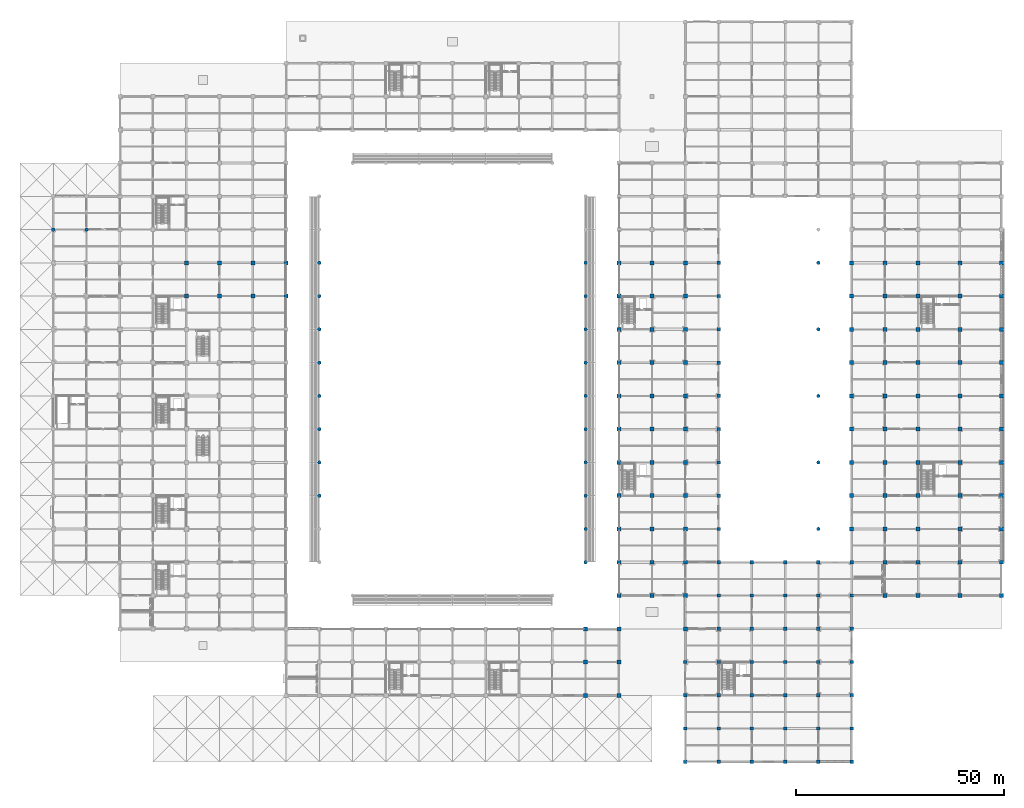
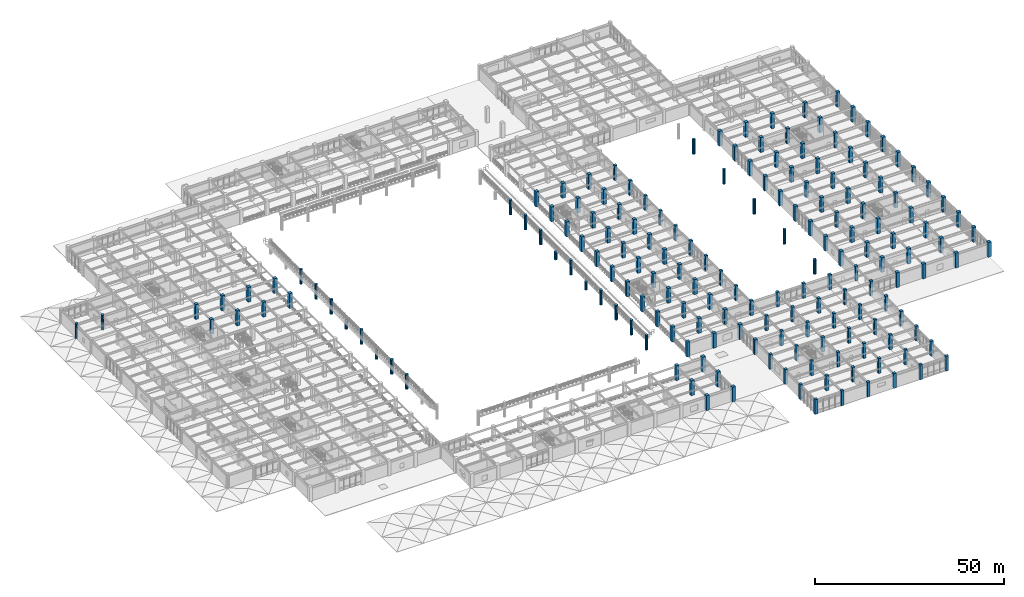
# One storey, part 5 of 109: 174 columns.
"""IFC4 building model written with IfcOpenShell, lengths in metres."""

from ifc_helpers import new_model, si_unit, direction, frame, origin, origin_2d, place, context, subcontext, project, spatial, rectangle, circle, extrude, material, material_profile, profile_set, type_object, element, save


model = new_model("IFC4")

# Units and contexts
model_context = context("Model", 3, precision=1e-05, world=origin(), true_north=direction((0.0, 1.0)))
body_context = subcontext(model_context, "Body", "Model", "MODEL_VIEW")
ifc_project = project(units=[si_unit("LENGTHUNIT", "METRE"), si_unit("AREAUNIT", "SQUARE_METRE"), si_unit("VOLUMEUNIT", "CUBIC_METRE"), si_unit("PLANEANGLEUNIT", "RADIAN"), si_unit("MASSUNIT", "GRAM", prefix="KILO")], contexts=[model_context])

# Site, building, storey
site_placement = place(None, origin())
site = spatial("IfcSite", under=ifc_project, at=site_placement, CompositionType="ELEMENT")
building_placement = place(site_placement, origin())
building = spatial("IfcBuilding", under=site, at=building_placement, Name="Haebicheon Civic Stadium", CompositionType="ELEMENT")
storey_placement = place(building_placement, frame((0.0, 0.0, 9.60009765625)))
storey = spatial("IfcBuildingStorey", under=building, at=storey_placement, Name="L03", CompositionType="ELEMENT", Elevation=9.60009765625)

# Columns
ifc_material_1 = material(Name="Concrete C40/50", Category="concrete")
ifc_material_profile_1 = material_profile(ifc_material_1, rectangle(XDim=0.800048828125, YDim=0.800048828125, at=origin_2d()), Name="RC-COL-800x800")
ifc_profile_set_1 = profile_set([ifc_material_profile_1], Name="Concrete C40/50")
column_type_1 = type_object("IfcColumnType", Name="COL-RC-800", PredefinedType="COLUMN", material=ifc_profile_set_1)
for number, where, z_axis, x_axis, name in (
    (1, (160.0, 0.0, 0.0), (0.0, 0.0, 1.0), (1.0, 0.0, 0.0), "L03 column 21/A"),
    (2, (160.0, 8.0, 0.0), (0.0, 0.0, 1.0), (1.0, 0.0, 0.0), "L03 column 21/B"),
    (3, (160.0, 16.0, 0.0), (0.0, 0.0, 1.0), (1.0, 0.0, 0.0), "L03 column 21/C"),
    (4, (160.0, 24.0, 0.0), (0.0, 0.0, 1.0), (1.0, 0.0, 0.0), "L03 column 21/D"),
    (5, (168.0, 0.0, 0.0), (0.0, 0.0, 1.0), (1.0, 0.0, 0.0), "L03 column 22/A"),
    (6, (168.0, 8.0, 0.0), (0.0, 0.0, 1.0), (1.0, 0.0, 0.0), "L03 column 22/B"),
    (7, (168.0, 16.0, 0.0), (0.0, 0.0, 1.0), (1.0, 0.0, 0.0), "L03 column 22/C"),
    (8, (168.0, 24.0, 0.0), (0.0, 0.0, 1.0), (1.0, 0.0, 0.0), "L03 column 22/D"),
    (9, (168.0, 32.0, 0.0), (0.0, 0.0, 1.0), (1.0, 0.0, 0.0), "L03 column 22/E"),
    (10, (168.0, 40.0, 0.0), (0.0, 0.0, 1.0), (1.0, 0.0, 0.0), "L03 column 22/F"),
    (11, (168.0, 48.0, 0.0), (0.0, 0.0, 1.0), (1.0, 0.0, 0.0), "L03 column 22/G"),
    (12, (168.0, 56.0, 0.0), (0.0, 0.0, 1.0), (1.0, 0.0, 0.0), "L03 column 22/H"),
    (13, (168.0, 64.0, 0.0), (0.0, 0.0, 1.0), (1.0, 0.0, 0.0), "L03 column 22/J"),
    (14, (168.0, 72.0, 0.0), (0.0, 0.0, 1.0), (1.0, 0.0, 0.0), "L03 column 22/K"),
    (15, (168.0, 80.0, 0.0), (0.0, 0.0, 1.0), (1.0, 0.0, 0.0), "L03 column 22/L"),
    (16, (168.0, 88.0, 0.0), (0.0, 0.0, 1.0), (1.0, 0.0, 0.0), "L03 column 22/M"),
    (17, (168.0, 96.0, 0.0), (0.0, 0.0, 1.0), (1.0, 0.0, 0.0), "L03 column 22/N"),
    (18, (168.0, 104.0, 0.0), (0.0, 0.0, 1.0), (1.0, 0.0, 0.0), "L03 column 22/P"),
    (19, (168.0, 112.0, 0.0), (0.0, 0.0, 1.0), (1.0, 0.0, 0.0), "L03 column 22/Q"),
    (20, (168.0, 120.0, 0.0), (0.0, 0.0, 1.0), (1.0, 0.0, 0.0), "L03 column 22/R"),
    (21, (176.0, 0.0, 0.0), (0.0, 0.0, 1.0), (1.0, 0.0, 0.0), "L03 column 23/A"),
    (22, (176.0, 8.0, 0.0), (0.0, 0.0, 1.0), (1.0, 0.0, 0.0), "L03 column 23/B"),
    (23, (176.0, 16.0, 0.0), (0.0, 0.0, 1.0), (1.0, 0.0, 0.0), "L03 column 23/C"),
    (24, (176.0, 24.0, 0.0), (0.0, 0.0, 1.0), (1.0, 0.0, 0.0), "L03 column 23/D"),
    (25, (176.0, 32.0, 0.0), (0.0, 0.0, 1.0), (1.0, 0.0, 0.0), "L03 column 23/E"),
    (26, (176.0, 40.0, 0.0), (0.0, 0.0, 1.0), (1.0, 0.0, 0.0), "L03 column 23/F"),
    (27, (176.0, 48.0, 0.0), (0.0, 0.0, 1.0), (1.0, 0.0, 0.0), "L03 column 23/G"),
    (28, (184.0, 0.0, 0.0), (0.0, 0.0, 1.0), (1.0, 0.0, 0.0), "L03 column 24/A"),
    (29, (184.0, 8.0, 0.0), (0.0, 0.0, 1.0), (1.0, 0.0, 0.0), "L03 column 24/B"),
    (30, (184.0, 16.0, 0.0), (0.0, 0.0, 1.0), (1.0, 0.0, 0.0), "L03 column 24/C"),
    (31, (184.0, 24.0, 0.0), (0.0, 0.0, 1.0), (1.0, 0.0, 0.0), "L03 column 24/D"),
    (32, (184.0, 32.0, 0.0), (0.0, 0.0, 1.0), (1.0, 0.0, 0.0), "L03 column 24/E"),
    (33, (184.0, 40.0, 0.0), (0.0, 0.0, 1.0), (1.0, 0.0, 0.0), "L03 column 24/F"),
    (34, (184.0, 48.0, 0.0), (0.0, 0.0, 1.0), (1.0, 0.0, 0.0), "L03 column 24/G"),
    (35, (192.0, 0.0, 0.0), (0.0, 0.0, 1.0), (1.0, 0.0, 0.0), "L03 column 25/A"),
    (36, (192.0, 8.0, 0.0), (0.0, 0.0, 1.0), (1.0, 0.0, 0.0), "L03 column 25/B"),
    (37, (192.0, 16.0, 0.0), (0.0, 0.0, 1.0), (1.0, 0.0, 0.0), "L03 column 25/C"),
    (38, (192.0, 24.0, 0.0), (0.0, 0.0, 1.0), (1.0, 0.0, 0.0), "L03 column 25/D"),
    (39, (192.0, 32.0, 0.0), (0.0, 0.0, 1.0), (1.0, 0.0, 0.0), "L03 column 25/E"),
    (40, (192.0, 40.0, 0.0), (0.0, 0.0, 1.0), (1.0, 0.0, 0.0), "L03 column 25/F"),
    (41, (192.0, 48.0, 0.0), (0.0, 0.0, 1.0), (1.0, 0.0, 0.0), "L03 column 25/G"),
    (42, (200.0, 0.0, 0.0), (0.0, 0.0, 1.0), (1.0, 0.0, 0.0), "L03 column 26/A"),
    (43, (200.0, 8.0, 0.0), (0.0, 0.0, 1.0), (1.0, 0.0, 0.0), "L03 column 26/B"),
    (44, (200.0, 16.0, 0.0), (0.0, 0.0, 1.0), (1.0, 0.0, 0.0), "L03 column 26/C"),
    (45, (200.0, 24.0, 0.0), (0.0, 0.0, 1.0), (1.0, 0.0, 0.0), "L03 column 26/D"),
    (46, (200.0, 32.0, 0.0), (0.0, 0.0, 1.0), (1.0, 0.0, 0.0), "L03 column 26/E"),
    (47, (200.0, 40.0, 0.0), (0.0, 0.0, 1.0), (1.0, 0.0, 0.0), "L03 column 26/F"),
    (48, (200.0, 48.0, 0.0), (0.0, 0.0, 1.0), (1.0, 0.0, 0.0), "L03 column 26/G"),
):
    element("IfcColumn", number, at=place(storey_placement, frame(where, z_axis=z_axis, x_axis=x_axis)), inside=storey, type_object=column_type_1, material=ifc_profile_set_1, Name=name, PredefinedType="COLUMN", context=body_context, shape_type="SweptSolid", body=[
        extrude(rectangle(XDim=0.800048828125, YDim=0.800048828125, at=origin_2d()), origin(), (0.0, 0.0, 1.0), 4.7998046875),
    ])
ifc_material_2 = material(Name="Concrete C40/50", Category="concrete")
ifc_material_profile_2 = material_profile(ifc_material_2, rectangle(XDim=0.949951171875, YDim=0.949951171875, at=origin_2d()), Name="RC-COL-950x950")
ifc_profile_set_2 = profile_set([ifc_material_profile_2], Name="Concrete C40/50")
column_type_2 = type_object("IfcColumnType", Name="COL-RC-950", PredefinedType="COLUMN", material=ifc_profile_set_2)
for number, where, z_axis, x_axis, name in (
    (49, (40.0, 112.0, 0.0), (0.0, 0.0, 1.0), (1.0, 0.0, 0.0), "L03 column 6/Q"),
    (50, (40.0, 120.0, 0.0), (0.0, 0.0, 1.0), (1.0, 0.0, 0.0), "L03 column 6/R"),
    (51, (48.0, 112.0, 0.0), (0.0, 0.0, 1.0), (1.0, 0.0, 0.0), "L03 column 7/Q"),
    (52, (48.0, 120.0, 0.0), (0.0, 0.0, 1.0), (1.0, 0.0, 0.0), "L03 column 7/R"),
    (53, (56.0, 112.0, 0.0), (0.0, 0.0, 1.0), (1.0, 0.0, 0.0), "L03 column 8/Q"),
    (54, (56.0, 120.0, 0.0), (0.0, 0.0, 1.0), (1.0, 0.0, 0.0), "L03 column 8/R"),
    (55, (64.0, 112.0, 0.0), (0.0, 0.0, 1.0), (1.0, 0.0, 0.0), "L03 column 9/Q"),
    (56, (64.0, 120.0, 0.0), (0.0, 0.0, 1.0), (1.0, 0.0, 0.0), "L03 column 9/R"),
    (57, (136.0, 16.0, 0.0), (0.0, 0.0, 1.0), (1.0, 0.0, 0.0), "L03 column 18/C"),
    (58, (136.0, 24.0, 0.0), (0.0, 0.0, 1.0), (1.0, 0.0, 0.0), "L03 column 18/D"),
    (59, (136.0, 32.0, 0.0), (0.0, 0.0, 1.0), (1.0, 0.0, 0.0), "L03 column 18/E"),
    (60, (144.0, 16.0, 0.0), (0.0, 0.0, 1.0), (1.0, 0.0, 0.0), "L03 column 19/C"),
    (61, (144.0, 24.0, 0.0), (0.0, 0.0, 1.0), (1.0, 0.0, 0.0), "L03 column 19/D"),
    (62, (144.0, 32.0, 0.0), (0.0, 0.0, 1.0), (1.0, 0.0, 0.0), "L03 column 19/E"),
    (63, (144.0, 40.0, 0.0), (0.0, 0.0, 1.0), (1.0, 0.0, 0.0), "L03 column 19/F"),
    (64, (144.0, 48.0, 0.0), (0.0, 0.0, 1.0), (1.0, 0.0, 0.0), "L03 column 19/G"),
    (65, (144.0, 56.0, 0.0), (0.0, 0.0, 1.0), (1.0, 0.0, 0.0), "L03 column 19/H"),
    (66, (144.0, 64.0, 0.0), (0.0, 0.0, 1.0), (1.0, 0.0, 0.0), "L03 column 19/J"),
    (67, (144.0, 72.0, 0.0), (0.0, 0.0, 1.0), (1.0, 0.0, 0.0), "L03 column 19/K"),
    (68, (144.0, 80.0, 0.0), (0.0, 0.0, 1.0), (1.0, 0.0, 0.0), "L03 column 19/L"),
    (69, (144.0, 88.0, 0.0), (0.0, 0.0, 1.0), (1.0, 0.0, 0.0), "L03 column 19/M"),
    (70, (144.0, 96.0, 0.0), (0.0, 0.0, 1.0), (1.0, 0.0, 0.0), "L03 column 19/N"),
    (71, (144.0, 104.0, 0.0), (0.0, 0.0, 1.0), (1.0, 0.0, 0.0), "L03 column 19/P"),
    (72, (144.0, 112.0, 0.0), (0.0, 0.0, 1.0), (1.0, 0.0, 0.0), "L03 column 19/Q"),
    (73, (144.0, 120.0, 0.0), (0.0, 0.0, 1.0), (1.0, 0.0, 0.0), "L03 column 19/R"),
    (74, (152.0, 40.0, 0.0), (0.0, 0.0, 1.0), (1.0, 0.0, 0.0), "L03 column 20/F"),
    (75, (152.0, 48.0, 0.0), (0.0, 0.0, 1.0), (1.0, 0.0, 0.0), "L03 column 20/G"),
    (76, (152.0, 56.0, 0.0), (0.0, 0.0, 1.0), (1.0, 0.0, 0.0), "L03 column 20/H"),
    (77, (152.0, 64.0, 0.0), (0.0, 0.0, 1.0), (1.0, 0.0, 0.0), "L03 column 20/J"),
    (78, (152.0, 72.0, 0.0), (0.0, 0.0, 1.0), (1.0, 0.0, 0.0), "L03 column 20/K"),
    (79, (152.0, 80.0, 0.0), (0.0, 0.0, 1.0), (1.0, 0.0, 0.0), "L03 column 20/L"),
    (80, (152.0, 88.0, 0.0), (0.0, 0.0, 1.0), (1.0, 0.0, 0.0), "L03 column 20/M"),
    (81, (152.0, 96.0, 0.0), (0.0, 0.0, 1.0), (1.0, 0.0, 0.0), "L03 column 20/N"),
    (82, (152.0, 104.0, 0.0), (0.0, 0.0, 1.0), (1.0, 0.0, 0.0), "L03 column 20/P"),
    (83, (152.0, 112.0, 0.0), (0.0, 0.0, 1.0), (1.0, 0.0, 0.0), "L03 column 20/Q"),
    (84, (152.0, 120.0, 0.0), (0.0, 0.0, 1.0), (1.0, 0.0, 0.0), "L03 column 20/R"),
    (85, (160.0, 32.0, 0.0), (0.0, 0.0, 1.0), (1.0, 0.0, 0.0), "L03 column 21/E"),
    (86, (160.0, 40.0, 0.0), (0.0, 0.0, 1.0), (1.0, 0.0, 0.0), "L03 column 21/F"),
    (87, (160.0, 48.0, 0.0), (0.0, 0.0, 1.0), (1.0, 0.0, 0.0), "L03 column 21/G"),
    (88, (160.0, 56.0, 0.0), (0.0, 0.0, 1.0), (1.0, 0.0, 0.0), "L03 column 21/H"),
    (89, (160.0, 64.0, 0.0), (0.0, 0.0, 1.0), (1.0, 0.0, 0.0), "L03 column 21/J"),
    (90, (160.0, 72.0, 0.0), (0.0, 0.0, 1.0), (1.0, 0.0, 0.0), "L03 column 21/K"),
    (91, (160.0, 80.0, 0.0), (0.0, 0.0, 1.0), (1.0, 0.0, 0.0), "L03 column 21/L"),
    (92, (160.0, 88.0, 0.0), (0.0, 0.0, 1.0), (1.0, 0.0, 0.0), "L03 column 21/M"),
    (93, (160.0, 96.0, 0.0), (0.0, 0.0, 1.0), (1.0, 0.0, 0.0), "L03 column 21/N"),
    (94, (160.0, 104.0, 0.0), (0.0, 0.0, 1.0), (1.0, 0.0, 0.0), "L03 column 21/P"),
    (95, (160.0, 112.0, 0.0), (0.0, 0.0, 1.0), (1.0, 0.0, 0.0), "L03 column 21/Q"),
    (96, (160.0, 120.0, 0.0), (0.0, 0.0, 1.0), (1.0, 0.0, 0.0), "L03 column 21/R"),
    (97, (200.0, 56.0, 0.0), (0.0, 0.0, 1.0), (1.0, 0.0, 0.0), "L03 column 26/H"),
    (98, (200.0, 64.0, 0.0), (0.0, 0.0, 1.0), (1.0, 0.0, 0.0), "L03 column 26/J"),
    (99, (200.0, 72.0, 0.0), (0.0, 0.0, 1.0), (1.0, 0.0, 0.0), "L03 column 26/K"),
    (100, (200.0, 80.0, 0.0), (0.0, 0.0, 1.0), (1.0, 0.0, 0.0), "L03 column 26/L"),
    (101, (200.0, 88.0, 0.0), (0.0, 0.0, 1.0), (1.0, 0.0, 0.0), "L03 column 26/M"),
    (102, (200.0, 96.0, 0.0), (0.0, 0.0, 1.0), (1.0, 0.0, 0.0), "L03 column 26/N"),
    (103, (200.0, 104.0, 0.0), (0.0, 0.0, 1.0), (1.0, 0.0, 0.0), "L03 column 26/P"),
    (104, (200.0, 112.0, 0.0), (0.0, 0.0, 1.0), (1.0, 0.0, 0.0), "L03 column 26/Q"),
    (105, (200.0, 120.0, 0.0), (0.0, 0.0, 1.0), (1.0, 0.0, 0.0), "L03 column 26/R"),
    (106, (208.0, 40.0, 0.0), (0.0, 0.0, 1.0), (1.0, 0.0, 0.0), "L03 column 27/F"),
    (107, (208.0, 48.0, 0.0), (0.0, 0.0, 1.0), (1.0, 0.0, 0.0), "L03 column 27/G"),
    (108, (208.0, 56.0, 0.0), (0.0, 0.0, 1.0), (1.0, 0.0, 0.0), "L03 column 27/H"),
    (109, (208.0, 64.0, 0.0), (0.0, 0.0, 1.0), (1.0, 0.0, 0.0), "L03 column 27/J"),
    (110, (208.0, 72.0, 0.0), (0.0, 0.0, 1.0), (1.0, 0.0, 0.0), "L03 column 27/K"),
    (111, (208.0, 80.0, 0.0), (0.0, 0.0, 1.0), (1.0, 0.0, 0.0), "L03 column 27/L"),
    (112, (208.0, 88.0, 0.0), (0.0, 0.0, 1.0), (1.0, 0.0, 0.0), "L03 column 27/M"),
    (113, (208.0, 96.0, 0.0), (0.0, 0.0, 1.0), (1.0, 0.0, 0.0), "L03 column 27/N"),
    (114, (208.0, 104.0, 0.0), (0.0, 0.0, 1.0), (1.0, 0.0, 0.0), "L03 column 27/P"),
    (115, (208.0, 112.0, 0.0), (0.0, 0.0, 1.0), (1.0, 0.0, 0.0), "L03 column 27/Q"),
    (116, (208.0, 120.0, 0.0), (0.0, 0.0, 1.0), (1.0, 0.0, 0.0), "L03 column 27/R"),
    (117, (216.0, 40.0, 0.0), (0.0, 0.0, 1.0), (1.0, 0.0, 0.0), "L03 column 28/F"),
    (118, (216.0, 48.0, 0.0), (0.0, 0.0, 1.0), (1.0, 0.0, 0.0), "L03 column 28/G"),
    (119, (216.0, 56.0, 0.0), (0.0, 0.0, 1.0), (1.0, 0.0, 0.0), "L03 column 28/H"),
    (120, (216.0, 64.0, 0.0), (0.0, 0.0, 1.0), (1.0, 0.0, 0.0), "L03 column 28/J"),
    (121, (216.0, 72.0, 0.0), (0.0, 0.0, 1.0), (1.0, 0.0, 0.0), "L03 column 28/K"),
    (122, (216.0, 80.0, 0.0), (0.0, 0.0, 1.0), (1.0, 0.0, 0.0), "L03 column 28/L"),
    (123, (216.0, 88.0, 0.0), (0.0, 0.0, 1.0), (1.0, 0.0, 0.0), "L03 column 28/M"),
    (124, (216.0, 96.0, 0.0), (0.0, 0.0, 1.0), (1.0, 0.0, 0.0), "L03 column 28/N"),
    (125, (216.0, 104.0, 0.0), (0.0, 0.0, 1.0), (1.0, 0.0, 0.0), "L03 column 28/P"),
    (126, (216.0, 112.0, 0.0), (0.0, 0.0, 1.0), (1.0, 0.0, 0.0), "L03 column 28/Q"),
    (127, (216.0, 120.0, 0.0), (0.0, 0.0, 1.0), (1.0, 0.0, 0.0), "L03 column 28/R"),
    (128, (226.0, 40.0, 0.0), (0.0, 0.0, 1.0), (1.0, 0.0, 0.0), "L03 column 29/F"),
    (129, (226.0, 48.0, 0.0), (0.0, 0.0, 1.0), (1.0, 0.0, 0.0), "L03 column 29/G"),
    (130, (226.0, 56.0, 0.0), (0.0, 0.0, 1.0), (1.0, 0.0, 0.0), "L03 column 29/H"),
    (131, (226.0, 64.0, 0.0), (0.0, 0.0, 1.0), (1.0, 0.0, 0.0), "L03 column 29/J"),
    (132, (226.0, 72.0, 0.0), (0.0, 0.0, 1.0), (1.0, 0.0, 0.0), "L03 column 29/K"),
    (133, (226.0, 80.0, 0.0), (0.0, 0.0, 1.0), (1.0, 0.0, 0.0), "L03 column 29/L"),
    (134, (226.0, 88.0, 0.0), (0.0, 0.0, 1.0), (1.0, 0.0, 0.0), "L03 column 29/M"),
    (135, (226.0, 96.0, 0.0), (0.0, 0.0, 1.0), (1.0, 0.0, 0.0), "L03 column 29/N"),
    (136, (226.0, 104.0, 0.0), (0.0, 0.0, 1.0), (1.0, 0.0, 0.0), "L03 column 29/P"),
    (137, (226.0, 112.0, 0.0), (0.0, 0.0, 1.0), (1.0, 0.0, 0.0), "L03 column 29/Q"),
    (138, (226.0, 120.0, 0.0), (0.0, 0.0, 1.0), (1.0, 0.0, 0.0), "L03 column 29/R"),
    (139, (236.0, 40.0, 0.0), (0.0, 0.0, 1.0), (1.0, 0.0, 0.0), "L03 column 30/F"),
    (140, (236.0, 48.0, 0.0), (0.0, 0.0, 1.0), (1.0, 0.0, 0.0), "L03 column 30/G"),
    (141, (236.0, 56.0, 0.0), (0.0, 0.0, 1.0), (1.0, 0.0, 0.0), "L03 column 30/H"),
    (142, (236.0, 64.0, 0.0), (0.0, 0.0, 1.0), (1.0, 0.0, 0.0), "L03 column 30/J"),
    (143, (236.0, 72.0, 0.0), (0.0, 0.0, 1.0), (1.0, 0.0, 0.0), "L03 column 30/K"),
    (144, (236.0, 80.0, 0.0), (0.0, 0.0, 1.0), (1.0, 0.0, 0.0), "L03 column 30/L"),
    (145, (236.0, 88.0, 0.0), (0.0, 0.0, 1.0), (1.0, 0.0, 0.0), "L03 column 30/M"),
    (146, (236.0, 96.0, 0.0), (0.0, 0.0, 1.0), (1.0, 0.0, 0.0), "L03 column 30/N"),
    (147, (236.0, 104.0, 0.0), (0.0, 0.0, 1.0), (1.0, 0.0, 0.0), "L03 column 30/P"),
    (148, (236.0, 112.0, 0.0), (0.0, 0.0, 1.0), (1.0, 0.0, 0.0), "L03 column 30/Q"),
    (149, (236.0, 120.0, 0.0), (0.0, 0.0, 1.0), (1.0, 0.0, 0.0), "L03 column 30/R"),
):
    element("IfcColumn", number, at=place(storey_placement, frame(where, z_axis=z_axis, x_axis=x_axis)), inside=storey, type_object=column_type_2, material=ifc_profile_set_2, Name=name, PredefinedType="COLUMN", context=body_context, shape_type="SweptSolid", body=[
        extrude(rectangle(XDim=0.949951171875, YDim=0.949951171875, at=origin_2d()), origin(), (0.0, 0.0, 1.0), 4.7998046875),
    ])
ifc_material_3 = material(Name="Concrete C40/50", Category="concrete")
ifc_material_profile_3 = material_profile(ifc_material_3, circle(Radius=0.425048828125, at=origin_2d()), Name="RC-COL-D850")
ifc_profile_set_3 = profile_set([ifc_material_profile_3], Name="Concrete C40/50")
column_type_3 = type_object("IfcColumnType", Name="COL-RC-D850", PredefinedType="COLUMN", material=ifc_profile_set_3)
for number, where, z_axis, x_axis, name in (
    (150, (8.0, 128.0, 0.0), (0.0, 0.0, 1.0), (1.0, 0.0, 0.0), "L03 column 2/S"),
    (151, (16.0, 128.0, 0.0), (0.0, 0.0, 1.0), (1.0, 0.0, 0.0), "L03 column 3/S"),
    (152, (72.0, 64.0, 0.0), (0.0, 0.0, 1.0), (1.0, 0.0, 0.0), "Bowl/canopy support column 72/64 (L03)"),
    (153, (72.0, 72.0, 0.0), (0.0, 0.0, 1.0), (1.0, 0.0, 0.0), "Bowl/canopy support column 72/72 (L03)"),
):
    element("IfcColumn", number, at=place(storey_placement, frame(where, z_axis=z_axis, x_axis=x_axis)), inside=storey, type_object=column_type_3, material=ifc_profile_set_3, Name=name, PredefinedType="COLUMN", context=body_context, shape_type="SweptSolid", body=[
        extrude(circle(Radius=0.425048828125, at=origin_2d()), origin(), (0.0, 0.0, 1.0), 4.7998046875),
    ])
column_1_placement = place(storey_placement, frame((72.0, 80.0, 0.0), z_axis=(0.0, 0.0, 1.0), x_axis=(1.0, 0.0, 0.0)))
element("IfcColumn", 154, at=column_1_placement, inside=storey, type_object=column_type_3, material=ifc_profile_set_3, Name="Bowl/canopy support column 72/80 (L03)", PredefinedType="COLUMN", context=body_context, shape_type="SweptSolid", body=[
    extrude(circle(Radius=0.425048828125, at=origin_2d()), origin(), (0.0, 0.0, 1.0), 2.684814453125),
])
column_2_placement = place(storey_placement, frame((72.0, 88.0, 0.0), z_axis=(0.0, 0.0, 1.0), x_axis=(1.0, 0.0, 0.0)))
element("IfcColumn", 155, at=column_2_placement, inside=storey, type_object=column_type_3, material=ifc_profile_set_3, Name="Bowl/canopy support column 72/88 (L03)", PredefinedType="COLUMN", context=body_context, shape_type="SweptSolid", body=[
    extrude(circle(Radius=0.425048828125, at=origin_2d()), origin(), (0.0, 0.0, 1.0), 4.7998046875),
])
column_3_placement = place(storey_placement, frame((72.0, 96.0, 0.0), z_axis=(0.0, 0.0, 1.0), x_axis=(1.0, 0.0, 0.0)))
element("IfcColumn", 156, at=column_3_placement, inside=storey, type_object=column_type_3, material=ifc_profile_set_3, Name="Bowl/canopy support column 72/96 (L03)", PredefinedType="COLUMN", context=body_context, shape_type="SweptSolid", body=[
    extrude(circle(Radius=0.425048828125, at=origin_2d()), origin(), (0.0, 0.0, 1.0), 2.684814453125),
])
for number, where, z_axis, x_axis, name in (
    (157, (72.0, 104.0, 0.0), (0.0, 0.0, 1.0), (1.0, 0.0, 0.0), "Bowl/canopy support column 72/104 (L03)"),
    (158, (72.0, 112.0, 0.0), (0.0, 0.0, 1.0), (1.0, 0.0, 0.0), "Bowl/canopy support column 72/112 (L03)"),
    (159, (72.0, 120.0, 0.0), (0.0, 0.0, 1.0), (1.0, 0.0, 0.0), "Bowl/canopy support column 72/120 (L03)"),
    (160, (136.0, 48.0, 0.0), (0.0, 0.0, 1.0), (1.0, 0.0, 0.0), "Bowl/canopy support column 136/48 (L03)"),
    (161, (136.0, 56.0, 0.0), (0.0, 0.0, 1.0), (1.0, 0.0, 0.0), "Bowl/canopy support column 136/56 (L03)"),
    (162, (136.0, 64.0, 0.0), (0.0, 0.0, 1.0), (1.0, 0.0, 0.0), "Bowl/canopy support column 136/64 (L03)"),
    (163, (136.0, 72.0, 0.0), (0.0, 0.0, 1.0), (1.0, 0.0, 0.0), "Bowl/canopy support column 136/72 (L03)"),
):
    element("IfcColumn", number, at=place(storey_placement, frame(where, z_axis=z_axis, x_axis=x_axis)), inside=storey, type_object=column_type_3, material=ifc_profile_set_3, Name=name, PredefinedType="COLUMN", context=body_context, shape_type="SweptSolid", body=[
        extrude(circle(Radius=0.425048828125, at=origin_2d()), origin(), (0.0, 0.0, 1.0), 4.7998046875),
    ])
column_4_placement = place(storey_placement, frame((136.0, 80.0, 0.0), z_axis=(0.0, 0.0, 1.0), x_axis=(1.0, 0.0, 0.0)))
element("IfcColumn", 164, at=column_4_placement, inside=storey, type_object=column_type_3, material=ifc_profile_set_3, Name="Bowl/canopy support column 136/80 (L03)", PredefinedType="COLUMN", context=body_context, shape_type="SweptSolid", body=[
    extrude(circle(Radius=0.425048828125, at=origin_2d()), origin(), (0.0, 0.0, 1.0), 2.684814453125),
])
column_5_placement = place(storey_placement, frame((136.0, 88.0, 0.0), z_axis=(0.0, 0.0, 1.0), x_axis=(1.0, 0.0, 0.0)))
element("IfcColumn", 165, at=column_5_placement, inside=storey, type_object=column_type_3, material=ifc_profile_set_3, Name="Bowl/canopy support column 136/88 (L03)", PredefinedType="COLUMN", context=body_context, shape_type="SweptSolid", body=[
    extrude(circle(Radius=0.425048828125, at=origin_2d()), origin(), (0.0, 0.0, 1.0), 4.7998046875),
])
column_6_placement = place(storey_placement, frame((136.0, 96.0, 0.0), z_axis=(0.0, 0.0, 1.0), x_axis=(1.0, 0.0, 0.0)))
element("IfcColumn", 166, at=column_6_placement, inside=storey, type_object=column_type_3, material=ifc_profile_set_3, Name="Bowl/canopy support column 136/96 (L03)", PredefinedType="COLUMN", context=body_context, shape_type="SweptSolid", body=[
    extrude(circle(Radius=0.425048828125, at=origin_2d()), origin(), (0.0, 0.0, 1.0), 2.684814453125),
])
for number, where, z_axis, x_axis, name in (
    (167, (136.0, 104.0, 0.0), (0.0, 0.0, 1.0), (1.0, 0.0, 0.0), "Bowl/canopy support column 136/104 (L03)"),
    (168, (136.0, 112.0, 0.0), (0.0, 0.0, 1.0), (1.0, 0.0, 0.0), "Bowl/canopy support column 136/112 (L03)"),
    (169, (136.0, 120.0, 0.0), (0.0, 0.0, 1.0), (1.0, 0.0, 0.0), "Bowl/canopy support column 136/120 (L03)"),
    (170, (192.0, 56.0, 0.0), (0.0, 0.0, 1.0), (1.0, 0.0, 0.0), "Bowl/canopy support column 192/56 (L03)"),
    (171, (192.0, 72.0, 0.0), (0.0, 0.0, 1.0), (1.0, 0.0, 0.0), "Bowl/canopy support column 192/72 (L03)"),
    (172, (192.0, 88.0, 0.0), (0.0, 0.0, 1.0), (1.0, 0.0, 0.0), "Bowl/canopy support column 192/88 (L03)"),
    (173, (192.0, 104.0, 0.0), (0.0, 0.0, 1.0), (1.0, 0.0, 0.0), "Bowl/canopy support column 192/104 (L03)"),
    (174, (192.0, 120.0, 0.0), (0.0, 0.0, 1.0), (1.0, 0.0, 0.0), "Bowl/canopy support column 192/120 (L03)"),
):
    element("IfcColumn", number, at=place(storey_placement, frame(where, z_axis=z_axis, x_axis=x_axis)), inside=storey, type_object=column_type_3, material=ifc_profile_set_3, Name=name, PredefinedType="COLUMN", context=body_context, shape_type="SweptSolid", body=[
        extrude(circle(Radius=0.425048828125, at=origin_2d()), origin(), (0.0, 0.0, 1.0), 4.7998046875),
    ])

save(model, "model.ifc")
